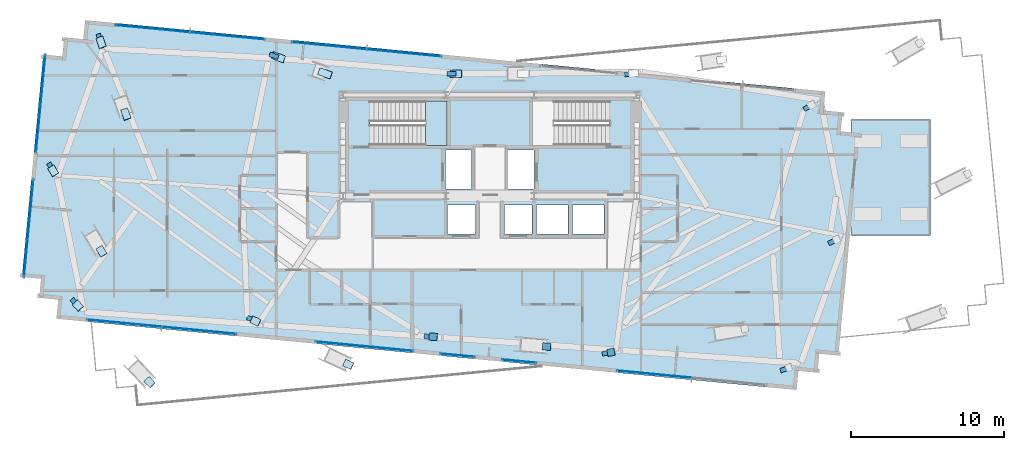
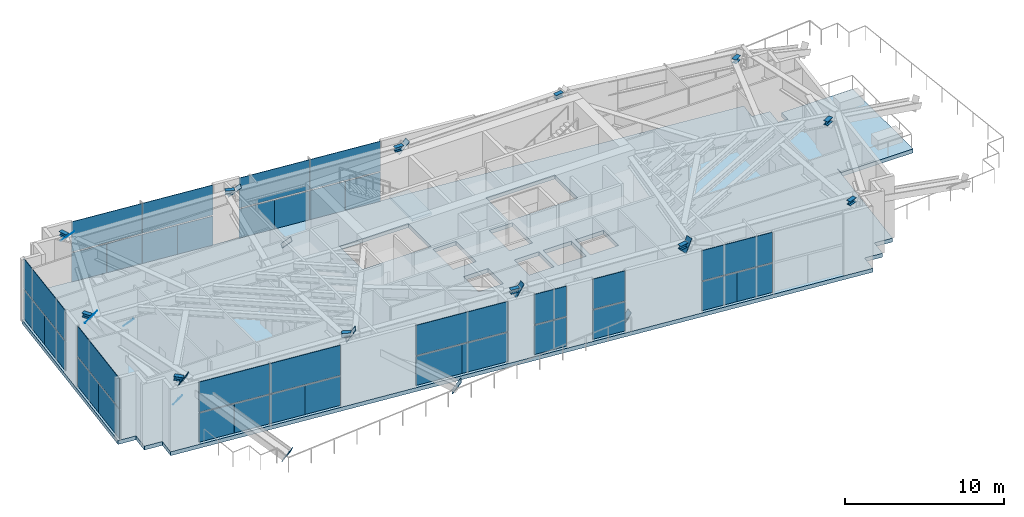
# One storey, part 15 of 23: 48 plates, 12 beams, 2 slabs, 10 elements without a shape of their own.
"""IFC4 building model written with IfcOpenShell, lengths in metres."""

from ifc_helpers import new_model, si_unit, direction, frame, origin, origin_2d, place, context, subcontext, project, spatial, polyline, rectangle, i_section, outline, extrude, source, transform, mapped, material, layer, layer_set, material_profile, profile_set, type_object, type_shapes, element, aggregate, save


model = new_model("IFC4")

# Units and contexts
model_context = context("Model", 3, precision=1e-05, world=origin(), true_north=direction((0.0, 1.0)))
body_context = subcontext(model_context, "Body", "Model", "MODEL_VIEW")
ifc_project = project(units=[si_unit("LENGTHUNIT", "METRE"), si_unit("AREAUNIT", "SQUARE_METRE"), si_unit("VOLUMEUNIT", "CUBIC_METRE"), si_unit("PLANEANGLEUNIT", "RADIAN"), si_unit("MASSUNIT", "GRAM", prefix="KILO")], contexts=[model_context])

# Site, building, storey
site_placement = place(None, origin())
site = spatial("IfcSite", under=ifc_project, at=site_placement, CompositionType="ELEMENT")
building_placement = place(site_placement, origin())
building = spatial("IfcBuilding", under=site, at=building_placement, Name="Astriad Promenade Condominiums", CompositionType="ELEMENT")
storey_placement = place(building_placement, frame((0.0, 0.0, 119.39990234375)))
storey = spatial("IfcBuildingStorey", under=building, at=storey_placement, Name="L34", CompositionType="ELEMENT", Elevation=119.39990234375)

# Beams
ifc_material_1 = material(Name="Steel ASTM A992 Grade 50", Category="steel")
ifc_material_profile = material_profile(ifc_material_1, i_section(OverallWidth=0.3046875, OverallDepth=0.307861328125, WebThickness=0.010009765625, FlangeThickness=0.015380859375, FilletRadius=0.01513671875, at=origin_2d()), Name="W12X65")
ifc_profile_set = profile_set([ifc_material_profile], Name="Steel ASTM A992 Grade 50")
beam_type = type_object("IfcBeamType", Name="STEEL TRANSFER SPLICE HEADER W12X65", PredefinedType="LINTEL", material=ifc_profile_set)
shared_shape_1 = source(origin(), body_context, "Body", "SweptSolid", [
    extrude(i_section(OverallWidth=0.3046875, OverallDepth=0.307861328125, WebThickness=0.010009765625, FlangeThickness=0.015380859375, FilletRadius=0.01513671875, at=origin_2d()), origin(), (0.0, 0.0, 1.0), 0.6015625),
])
for number, where, z_axis, x_axis, name in (
    (1, (9.089111328125, 10.220458984375, 4.626220703125), (-0.683387475312, 0.730055859909, 0.0), (-0.730055859909, -0.683387475312, 0.0), "Column Transfer Splice Header SPL-PC01-L34"),
    (2, (20.695068359375, 9.20654296875, 4.626220703125), (-0.906348980875, 0.422529910027, 0.0), (-0.422529910027, -0.906348980875, 0.0), "Column Transfer Splice Header SPL-PC02-L34"),
    (3, (43.93701171875, 7.1806640625, 4.626220703125), (-0.985080392085, -0.172094802738, 0.0), (0.172094802738, -0.985080392085, 0.0), "Column Transfer Splice Header SPL-PC04-L34"),
    (4, (10.5966796875, 27.419677734375, 4.626220703125), (-0.326678450084, 0.945135540677, 0.0), (-0.945135540677, -0.326678450084, 0.0), "Column Transfer Splice Header SPL-PC06-L34"),
    (5, (22.173828125, 26.459716796875, 4.626220703125), (-0.945678800643, 0.325102454642, 0.0), (-0.325102454642, -0.945678800643, 0.0), "Column Transfer Splice Header SPL-PC07-L34"),
    (6, (33.790283203125, 25.38037109375, 4.626220703125), (-1.0, 0.0, 0.0), (0.0, -1.0, 0.0), "Column Transfer Splice Header SPL-PC08-L34"),
    (7, (45.4150390625, 25.417236328125, 4.626220703125), (-0.988409209034, -0.151813159827, 0.0), (0.151813159827, -0.988409209034, 0.0), "Column Transfer Splice Header SPL-PC09-L34"),
    (8, (57.0498046875, 23.3466796875, 4.626220703125), (-0.866941378574, -0.498410118393, 0.0), (0.498410118393, -0.866941378574, 0.0), "Column Transfer Splice Header SPL-PC10-L34"),
    (9, (7.47314453125, 19.026123046875, 4.626220703125), (-0.514256979284, 0.857636146194, 0.0), (-0.857636146194, -0.514256979284, 0.0), "Column Transfer Splice Header SPL-PC11-L34"),
    (10, (58.676513671875, 14.555419921875, 4.626220703125), (-0.894589489496, -0.44688885115, 0.0), (0.44688885115, -0.894589489496, 0.0), "Column Transfer Splice Header SPL-PC12-L34"),
):
    element("IfcBeam", number, at=place(storey_placement, frame(where, z_axis=z_axis, x_axis=x_axis)), inside=storey, type_object=beam_type, Name=name, PredefinedType="LINTEL", context=body_context, shape_type="MappedRepresentation", body=[
        mapped(shared_shape_1, transform((0.0, 0.0, 0.0), scale=1.0)),
    ])
shared_shape_2 = source(origin(), body_context, "Body", "SweptSolid", [
    extrude(i_section(OverallWidth=0.3046875, OverallDepth=0.307861328125, WebThickness=0.010009765625, FlangeThickness=0.015380859375, FilletRadius=0.01513671875, at=origin_2d()), origin(), (0.0, 0.0, 1.0), 0.601318359375),
])
type_shapes(beam_type, [shared_shape_1, shared_shape_2])
for number, where, z_axis, x_axis, name in (
    (11, (32.31201171875, 8.1904296875, 4.626220703125), (-0.996289179226, 0.086068991848, 0.0), (-0.086068991848, -0.996289179226, 0.0), "Column Transfer Splice Header SPL-PC03-L34"),
    (12, (55.5634765625, 6.17724609375, 4.626220703125), (-0.939461075949, -0.342655638764, 0.0), (0.342655638764, -0.939461075949, 0.0), "Column Transfer Splice Header SPL-PC05-L34"),
):
    element("IfcBeam", number, at=place(storey_placement, frame(where, z_axis=z_axis, x_axis=x_axis)), inside=storey, type_object=beam_type, Name=name, PredefinedType="LINTEL", context=body_context, shape_type="MappedRepresentation", body=[
        mapped(shared_shape_2, transform((0.0, 0.0, 0.0), scale=1.0)),
    ])

# Slab
ifc_material_2 = material(Name="Concrete C50/60", Category="concrete")
ifc_layer_1 = layer(ifc_material_2, 0.300048828125)
ifc_layer_set_1 = layer_set([ifc_layer_1], Name="Concrete C50/60")
slab_type_1 = type_object("IfcSlabType", Name="CONCRETE PODIUM AND PLANT FLOOR SLAB 300", PredefinedType="FLOOR", material=ifc_layer_set_1)
slab_1_placement = place(storey_placement, frame((0.0, 0.0, -0.2998046875)))
element("IfcSlab", 13, at=slab_1_placement, inside=storey, type_object=slab_type_1, Name="Structural Floor Slab (L34)", PredefinedType="FLOOR", context=body_context, shape_type="SweptSolid", body=[
    extrude(outline(polyline([(59.60009765625, 15.5126953125), (59.60009765625, 14.800048828125), (64.800048828125, 14.800048828125), (64.800048828125, 22.39990234375), (59.60009765625, 22.39990234375), (59.60009765625, 21.55322265625), (58.931884765625, 21.617431640625), (59.052001953125, 22.86181640625), (57.8076171875, 22.981689453125), (57.927490234375, 24.225830078125), (9.55126953125, 28.8837890625), (9.431396484375, 27.6396484375), (8.18701171875, 27.759521484375), (8.0673828125, 26.515380859375), (6.822998046875, 26.635009765625), (5.423583984375, 12.102294921875), (6.66796875, 11.982421875), (6.548095703125, 10.73828125), (7.79248046875, 10.618408203125), (7.672607421875, 9.374267578125), (56.048828125, 4.716064453125), (56.168701171875, 5.960205078125), (57.412841796875, 5.840576171875), (57.53271484375, 7.084716796875), (58.77685546875, 6.96484375), (59.60009765625, 15.5126953125)]), holes=[polyline([(28.175048828125, 20.699951171875), (33.175048828125, 20.699951171875), (33.175048828125, 23.60009765625), (28.175048828125, 23.60009765625), (28.175048828125, 20.699951171875)]), polyline([(38.824951171875, 20.699951171875), (43.824951171875, 20.699951171875), (43.824951171875, 23.60009765625), (38.824951171875, 23.60009765625), (38.824951171875, 20.699951171875)]), polyline([(33.10009765625, 17.85009765625), (34.800048828125, 17.85009765625), (34.800048828125, 20.39990234375), (33.10009765625, 20.39990234375), (33.10009765625, 17.85009765625)]), polyline([(37.199951171875, 17.85009765625), (38.89990234375, 17.85009765625), (38.89990234375, 20.39990234375), (37.199951171875, 20.39990234375), (37.199951171875, 17.85009765625)]), polyline([(33.25, 14.89990234375), (35.050048828125, 14.89990234375), (35.050048828125, 16.800048828125), (33.25, 16.800048828125), (33.25, 14.89990234375)]), polyline([(36.949951171875, 14.89990234375), (38.75, 14.89990234375), (38.75, 16.800048828125), (36.949951171875, 16.800048828125), (36.949951171875, 14.89990234375)]), polyline([(39.050048828125, 14.89990234375), (41.10009765625, 14.89990234375), (41.10009765625, 16.800048828125), (39.050048828125, 16.800048828125), (39.050048828125, 14.89990234375)]), polyline([(41.39990234375, 14.89990234375), (43.449951171875, 14.89990234375), (43.449951171875, 16.800048828125), (41.39990234375, 16.800048828125), (41.39990234375, 14.89990234375)])]), origin(), (0.0, 0.0, 1.0), 0.2998046875),
])

# Stair, slab
stair_type = type_object("IfcStairType", Name="STR-CORE-1350", PredefinedType="HALF_TURN_STAIR", material=ifc_material_2)
stair_placement = place(storey_placement, origin())
stair = element("IfcStair", 14, at=stair_placement, inside=storey, type_object=stair_type, Name="L34 Enclosed Core Exit Stair ST-1", PredefinedType="HALF_TURN_STAIR")
ifc_layer_2 = layer(ifc_material_2, 0.219970703125)
ifc_layer_set_2 = layer_set([ifc_layer_2], Name="Concrete C50/60")
slab_type_2 = type_object("IfcSlabType", Name="SLB-LANDING-220", PredefinedType="LANDING", material=ifc_layer_set_2)
slab_2_placement = place(storey_placement, frame((0.0, 0.0, 2.400146484375)))
slab_2 = element("IfcSlab", 15, at=slab_2_placement, type_object=slab_type_2, Name="ST-1 landing 1", PredefinedType="LANDING", context=body_context, shape_type="SweptSolid", body=[
    extrude(outline(polyline([(31.7900390625, 20.699951171875), (33.199951171875, 20.699951171875), (33.199951171875, 23.60009765625), (31.7900390625, 23.60009765625), (31.7900390625, 20.699951171875)])), origin(), (0.0, 0.0, 1.0), 0.199951171875),
])
aggregate(stair, [slab_2])

# Plates
ifc_material_3 = material(Name="Steel ASTM A572 Grade 50", Category="steel")
ifc_layer_3 = layer(ifc_material_3, 0.02490234375)
ifc_layer_set_3 = layer_set([ifc_layer_3], Name="Steel ASTM A572 Grade 50")
plate_type_1 = type_object("IfcPlateType", Name="STEEL HOLLOW SECTION END CAP PLATE 30", PredefinedType="USERDEFINED", material=ifc_layer_set_3)
shared_shape_3 = source(origin(), body_context, "Body", "SweptSolid", [
    extrude(rectangle(XDim=0.477294921875, YDim=1.05126953125, at=origin_2d()), origin(), (0.0, 0.0, 1.0), 0.02490234375),
])
type_shapes(plate_type_1, [shared_shape_3])
for number, where, z_axis, x_axis, name in (
    (16, (13.771728515625, 5.217041015625, 0.182373046875), (-0.574938143914, 0.614335520908, 0.540405401919), (-0.730130772344, -0.683307438329, 0.0), "Hollow Section End Cap Plate COL-PC01-L34-A"),
    (17, (9.0888671875, 10.220703125, 4.583984375), (-0.574938143914, 0.614335520908, 0.540405401919), (-0.730130772344, -0.683307438329, 0.0), "Hollow Section End Cap Plate COL-PC01-L34-B"),
    (18, (26.7568359375, 6.381103515625, 0.180908203125), (-0.756952793768, 0.352840440892, 0.550023718832), (-0.422487995071, -0.906368519986, 0.0), "Hollow Section End Cap Plate COL-PC02-L34-A"),
    (19, (20.695068359375, 9.20654296875, 4.58544921875), (-0.756952793768, 0.352840440892, 0.550023718832), (-0.422487995071, -0.906368519986, 0.0), "Hollow Section End Cap Plate COL-PC02-L34-B"),
    (20, (39.728515625, 7.548095703125, 0.187744140625), (-0.858066153935, 0.074319319994, 0.508132968962), (-0.086289520066, -0.996270103299, 0.0), "Hollow Section End Cap Plate COL-PC03-L34-A"),
    (21, (32.312255859375, 8.1904296875, 4.579833984375), (-0.858066153935, 0.074319319994, 0.508132968962), (-0.086289520066, -0.996270103299, 0.0), "Hollow Section End Cap Plate COL-PC03-L34-B"),
    (22, (43.93701171875, 7.1806640625, 4.57177734375), (-0.883821109689, -0.154152960946, 0.441697985845), (0.171822537246, -0.985127918442, 0.0), "Hollow Section End Cap Plate COL-PC04-L34-B"),
    (23, (12.217529296875, 22.73486328125, 0.158203125), (-0.24339992508, 0.703461806231, 0.667755916219), (-0.94503011814, -0.326983295917, 0.0), "Hollow Section End Cap Plate COL-PC06-L34-A"),
    (24, (10.5966796875, 27.419677734375, 4.605224609375), (-0.24339992508, 0.703461806231, 0.667755916219), (-0.94503011814, -0.326983295917, 0.0), "Hollow Section End Cap Plate COL-PC06-L34-B"),
    (25, (25.234375, 25.407470703125, 0.119140625), (-0.550404973061, 0.189194935021, 0.81317872709), (-0.325069358839, -0.945690177566, 0.0), "Hollow Section End Cap Plate COL-PC07-L34-A"),
    (26, (22.173828125, 26.459716796875, 4.640869140625), (-0.550404973061, 0.189194935021, 0.81317872709), (-0.325069358839, -0.945690177566, 0.0), "Hollow Section End Cap Plate COL-PC07-L34-B"),
    (27, (33.790283203125, 25.38037109375, 4.614501953125), (-0.703260758359, 4.7945e-05, 0.710931996363), (-6.8175281e-05, -0.999999997676, 0.0), "Hollow Section End Cap Plate COL-PC08-L34-B"),
    (28, (10.626708984375, 13.76904296875, 0.175048828125), (-0.417412186942, 0.695837482902, 0.584446116918), (-0.857542019508, -0.514413923585, 0.0), "Hollow Section End Cap Plate COL-PC11-L34-A"),
    (29, (7.47314453125, 19.0263671875, 4.590576171875), (-0.417412186942, 0.695837482902, 0.584446116918), (-0.857542019508, -0.514413923585, 0.0), "Hollow Section End Cap Plate COL-PC11-L34-B"),
):
    element("IfcPlate", number, at=place(storey_placement, frame(where, z_axis=z_axis, x_axis=x_axis)), inside=storey, type_object=plate_type_1, Name=name, ObjectType="STIFFENER_PLATE", PredefinedType="USERDEFINED", context=body_context, shape_type="MappedRepresentation", body=[
        mapped(shared_shape_3, transform((0.0, 0.0, 0.0), scale=1.0)),
    ])

# Curtain wall, plates
ifc_material_4 = material(Name="Anodised aluminium Black Dark Glass Unitised", Category="aluminium")
curtain_wall_type = type_object("IfcCurtainWallType", Name="CW-B34-DARK", PredefinedType="USERDEFINED", material=ifc_material_4)
curtain_wall_1_placement = place(storey_placement, origin())
curtain_wall_1 = element("IfcCurtainWall", 30, at=curtain_wall_1_placement, inside=storey, type_object=curtain_wall_type, Name="CW-L34-W-1", ObjectType="UNITISED_CURTAIN_WALL", PredefinedType="USERDEFINED")
ifc_material_5 = material(Name="Dark Tinted Low-E Laminated Glass", Category="glass")
ifc_layer_4 = layer(ifc_material_5, 0.035888671875)
ifc_layer_set_4 = layer_set([ifc_layer_4], Name="Dark Tinted Low-E Laminated Glass")
plate_type_2 = type_object("IfcPlateType", Name="PNL-DARK-GLASS-36", PredefinedType="CURTAIN_PANEL", material=ifc_layer_set_4)
shared_shape_4 = source(origin(), body_context, "Body", "SweptSolid", [
    extrude(rectangle(XDim=3.18798828125, YDim=0.035888671875, at=origin_2d()), origin(), (0.0, 0.0, 1.0), 2.22998046875),
])
plate_1_placement = place(storey_placement, frame((5.70654296875, 13.682373046875, 0.080078125), z_axis=(0.0, 0.0, 1.0), x_axis=(0.09584575252, 0.995396198367, 0.0)))
plate_1 = element("IfcPlate", 31, at=plate_1_placement, type_object=plate_type_2, Name="CW-L34-W-1-PNL-00-VL", PredefinedType="CURTAIN_PANEL", context=body_context, shape_type="MappedRepresentation", body=[
    mapped(shared_shape_4, transform((0.0, 0.0, 0.0), scale=1.0)),
])
plate_2_placement = place(storey_placement, frame((6.01318359375, 16.86767578125, 0.080078125), z_axis=(0.0, 0.0, 1.0), x_axis=(0.09584575252, 0.995396198367, 0.0)))
plate_2 = element("IfcPlate", 32, at=plate_2_placement, type_object=plate_type_2, Name="CW-L34-W-1-PNL-00-VR", PredefinedType="CURTAIN_PANEL", context=body_context, shape_type="MappedRepresentation", body=[
    mapped(shared_shape_4, transform((0.0, 0.0, 0.0), scale=1.0)),
])

curtain_wall_2_placement = place(storey_placement, origin())
curtain_wall_2 = element("IfcCurtainWall", 33, at=curtain_wall_2_placement, inside=storey, type_object=curtain_wall_type, Name="CW-L34-W-2", ObjectType="UNITISED_CURTAIN_WALL", PredefinedType="USERDEFINED")
plate_3_placement = place(storey_placement, frame((6.492431640625, 21.844482421875, 0.080078125), z_axis=(0.0, 0.0, 1.0), x_axis=(0.09584575252, 0.995396198367, 0.0)))
plate_3 = element("IfcPlate", 34, at=plate_3_placement, type_object=plate_type_2, Name="CW-L34-W-2-PNL-00-VL", PredefinedType="CURTAIN_PANEL", context=body_context, shape_type="MappedRepresentation", body=[
    mapped(shared_shape_4, transform((0.0, 0.0, 0.0), scale=1.0)),
])
plate_4_placement = place(storey_placement, frame((6.79931640625, 25.02978515625, 0.080078125), z_axis=(0.0, 0.0, 1.0), x_axis=(0.09584575252, 0.995396198367, 0.0)))
plate_4 = element("IfcPlate", 35, at=plate_4_placement, type_object=plate_type_2, Name="CW-L34-W-2-PNL-00-VR", PredefinedType="CURTAIN_PANEL", context=body_context, shape_type="MappedRepresentation", body=[
    mapped(shared_shape_4, transform((0.0, 0.0, 0.0), scale=1.0)),
])

# Plate
shared_shape_5 = source(origin(), body_context, "Body", "SweptSolid", [
    extrude(rectangle(XDim=6.387939453125, YDim=0.035888671875, at=origin_2d()), origin(), (0.0, 0.0, 1.0), 2.31005859375),
])
plate_5_placement = place(storey_placement, frame((5.85986328125, 15.275146484375, 2.39013671875), z_axis=(0.0, 0.0, 1.0), x_axis=(0.09584575252, 0.995396198367, 0.0)))
plate_5 = element("IfcPlate", 36, at=plate_5_placement, type_object=plate_type_2, Name="CW-L34-W-1-PNL-00-S", PredefinedType="CURTAIN_PANEL", context=body_context, shape_type="MappedRepresentation", body=[
    mapped(shared_shape_5, transform((0.0, 0.0, 0.0), scale=1.0)),
])

aggregate(curtain_wall_1, [plate_1, plate_2, plate_5])

shared_shape_6 = source(origin(), body_context, "Body", "SweptSolid", [
    extrude(rectangle(XDim=6.38818359375, YDim=0.035888671875, at=origin_2d()), origin(), (0.0, 0.0, 1.0), 2.31005859375),
])
plate_6_placement = place(storey_placement, frame((6.645751953125, 23.437255859375, 2.39013671875), z_axis=(0.0, 0.0, 1.0), x_axis=(0.09584575252, 0.995396198367, 0.0)))
plate_6 = element("IfcPlate", 37, at=plate_6_placement, type_object=plate_type_2, Name="CW-L34-W-2-PNL-00-S", PredefinedType="CURTAIN_PANEL", context=body_context, shape_type="MappedRepresentation", body=[
    mapped(shared_shape_6, transform((0.0, 0.0, 0.0), scale=1.0)),
])

aggregate(curtain_wall_2, [plate_3, plate_4, plate_6])

# Curtain wall, plates
curtain_wall_3_placement = place(storey_placement, origin())
curtain_wall_3 = element("IfcCurtainWall", 38, at=curtain_wall_3_placement, inside=storey, type_object=curtain_wall_type, Name="CW-L34-N-1", ObjectType="UNITISED_CURTAIN_WALL", PredefinedType="USERDEFINED")
shared_shape_7 = source(origin(), body_context, "Body", "SweptSolid", [
    extrude(rectangle(XDim=2.43798828125, YDim=0.035888671875, at=origin_2d()), origin(), (0.0, 0.0, 1.0), 2.22998046875),
])
plate_7_placement = place(storey_placement, frame((12.748779296875, 28.4453125, 0.080078125), z_axis=(0.0, 0.0, 1.0), x_axis=(0.995396198367, -0.09584575252, 0.0)))
plate_7 = element("IfcPlate", 39, at=plate_7_placement, type_object=plate_type_2, Name="CW-L34-N-1-PNL-00-VL", PredefinedType="CURTAIN_PANEL", context=body_context, shape_type="MappedRepresentation", body=[
    mapped(shared_shape_7, transform((0.0, 0.0, 0.0), scale=1.0)),
])
plate_8_placement = place(storey_placement, frame((15.1875, 28.210693359375, 0.080078125), z_axis=(0.0, 0.0, 1.0), x_axis=(0.995396198367, -0.09584575252, 0.0)))
plate_8 = element("IfcPlate", 40, at=plate_8_placement, type_object=plate_type_2, Name="CW-L34-N-1-PNL-00-VR", PredefinedType="CURTAIN_PANEL", context=body_context, shape_type="MappedRepresentation", body=[
    mapped(shared_shape_7, transform((0.0, 0.0, 0.0), scale=1.0)),
])
plate_9_placement = place(storey_placement, frame((17.62646484375, 27.975830078125, 0.080078125), z_axis=(0.0, 0.0, 1.0), x_axis=(0.995396198367, -0.09584575252, 0.0)))
plate_9 = element("IfcPlate", 41, at=plate_9_placement, type_object=plate_type_2, Name="CW-L34-N-1-PNL-01-VL", PredefinedType="CURTAIN_PANEL", context=body_context, shape_type="MappedRepresentation", body=[
    mapped(shared_shape_7, transform((0.0, 0.0, 0.0), scale=1.0)),
])
plate_10_placement = place(storey_placement, frame((20.06494140625, 27.740966796875, 0.080078125), z_axis=(0.0, 0.0, 1.0), x_axis=(0.995396198367, -0.09584575252, 0.0)))
plate_10 = element("IfcPlate", 42, at=plate_10_placement, type_object=plate_type_2, Name="CW-L34-N-1-PNL-01-VR", PredefinedType="CURTAIN_PANEL", context=body_context, shape_type="MappedRepresentation", body=[
    mapped(shared_shape_7, transform((0.0, 0.0, 0.0), scale=1.0)),
])

curtain_wall_4_placement = place(storey_placement, origin())
curtain_wall_4 = element("IfcCurtainWall", 43, at=curtain_wall_4_placement, inside=storey, type_object=curtain_wall_type, Name="CW-L34-N-2", ObjectType="UNITISED_CURTAIN_WALL", PredefinedType="USERDEFINED")
plate_11_placement = place(storey_placement, frame((24.29541015625, 27.33349609375, 0.080078125), z_axis=(0.0, 0.0, 1.0), x_axis=(0.995396198367, -0.09584575252, 0.0)))
plate_11 = element("IfcPlate", 44, at=plate_11_placement, type_object=plate_type_2, Name="CW-L34-N-2-PNL-00-VL", PredefinedType="CURTAIN_PANEL", context=body_context, shape_type="MappedRepresentation", body=[
    mapped(shared_shape_7, transform((0.0, 0.0, 0.0), scale=1.0)),
])
plate_12_placement = place(storey_placement, frame((26.734130859375, 27.0986328125, 0.080078125), z_axis=(0.0, 0.0, 1.0), x_axis=(0.995396198367, -0.09584575252, 0.0)))
plate_12 = element("IfcPlate", 45, at=plate_12_placement, type_object=plate_type_2, Name="CW-L34-N-2-PNL-00-VR", PredefinedType="CURTAIN_PANEL", context=body_context, shape_type="MappedRepresentation", body=[
    mapped(shared_shape_7, transform((0.0, 0.0, 0.0), scale=1.0)),
])
plate_13_placement = place(storey_placement, frame((29.1728515625, 26.864013671875, 0.080078125), z_axis=(0.0, 0.0, 1.0), x_axis=(0.995396198367, -0.09584575252, 0.0)))
plate_13 = element("IfcPlate", 46, at=plate_13_placement, type_object=plate_type_2, Name="CW-L34-N-2-PNL-01-VL", PredefinedType="CURTAIN_PANEL", context=body_context, shape_type="MappedRepresentation", body=[
    mapped(shared_shape_7, transform((0.0, 0.0, 0.0), scale=1.0)),
])
plate_14_placement = place(storey_placement, frame((31.611572265625, 26.629150390625, 0.080078125), z_axis=(0.0, 0.0, 1.0), x_axis=(0.995396198367, -0.09584575252, 0.0)))
plate_14 = element("IfcPlate", 47, at=plate_14_placement, type_object=plate_type_2, Name="CW-L34-N-2-PNL-01-VR", PredefinedType="CURTAIN_PANEL", context=body_context, shape_type="MappedRepresentation", body=[
    mapped(shared_shape_7, transform((0.0, 0.0, 0.0), scale=1.0)),
])

curtain_wall_5_placement = place(storey_placement, origin())
curtain_wall_5 = element("IfcCurtainWall", 48, at=curtain_wall_5_placement, inside=storey, type_object=curtain_wall_type, Name="CW-L34-S-1", ObjectType="UNITISED_CURTAIN_WALL", PredefinedType="USERDEFINED")
plate_15_placement = place(storey_placement, frame((47.9736328125, 5.624267578125, 0.080078125), z_axis=(0.0, 0.0, 1.0), x_axis=(-0.995396198367, 0.09584575252, 0.0)))
plate_15 = element("IfcPlate", 49, at=plate_15_placement, type_object=plate_type_2, Name="CW-L34-S-1-PNL-01-VL", PredefinedType="CURTAIN_PANEL", context=body_context, shape_type="MappedRepresentation", body=[
    mapped(shared_shape_7, transform((0.0, 0.0, 0.0), scale=1.0)),
])
plate_16_placement = place(storey_placement, frame((45.534912109375, 5.859130859375, 0.080078125), z_axis=(0.0, 0.0, 1.0), x_axis=(-0.995396198367, 0.09584575252, 0.0)))
plate_16 = element("IfcPlate", 50, at=plate_16_placement, type_object=plate_type_2, Name="CW-L34-S-1-PNL-01-VR", PredefinedType="CURTAIN_PANEL", context=body_context, shape_type="MappedRepresentation", body=[
    mapped(shared_shape_7, transform((0.0, 0.0, 0.0), scale=1.0)),
])

curtain_wall_6_placement = place(storey_placement, origin())
curtain_wall_6 = element("IfcCurtainWall", 51, at=curtain_wall_6_placement, inside=storey, type_object=curtain_wall_type, Name="CW-L34-S-5", ObjectType="UNITISED_CURTAIN_WALL", PredefinedType="USERDEFINED")
plate_17_placement = place(storey_placement, frame((18.21142578125, 8.489990234375, 0.080078125), z_axis=(0.0, 0.0, 1.0), x_axis=(-0.995396198367, 0.09584575252, 0.0)))
plate_17 = element("IfcPlate", 52, at=plate_17_placement, type_object=plate_type_2, Name="CW-L34-S-5-PNL-00-VL", PredefinedType="CURTAIN_PANEL", context=body_context, shape_type="MappedRepresentation", body=[
    mapped(shared_shape_7, transform((0.0, 0.0, 0.0), scale=1.0)),
])
plate_18_placement = place(storey_placement, frame((15.772705078125, 8.724853515625, 0.080078125), z_axis=(0.0, 0.0, 1.0), x_axis=(-0.995396198367, 0.09584575252, 0.0)))
plate_18 = element("IfcPlate", 53, at=plate_18_placement, type_object=plate_type_2, Name="CW-L34-S-5-PNL-00-VR", PredefinedType="CURTAIN_PANEL", context=body_context, shape_type="MappedRepresentation", body=[
    mapped(shared_shape_7, transform((0.0, 0.0, 0.0), scale=1.0)),
])
plate_19_placement = place(storey_placement, frame((13.333984375, 8.959716796875, 0.080078125), z_axis=(0.0, 0.0, 1.0), x_axis=(-0.995396198367, 0.09584575252, 0.0)))
plate_19 = element("IfcPlate", 54, at=plate_19_placement, type_object=plate_type_2, Name="CW-L34-S-5-PNL-01-VL", PredefinedType="CURTAIN_PANEL", context=body_context, shape_type="MappedRepresentation", body=[
    mapped(shared_shape_7, transform((0.0, 0.0, 0.0), scale=1.0)),
])
plate_20_placement = place(storey_placement, frame((10.895263671875, 9.194580078125, 0.080078125), z_axis=(0.0, 0.0, 1.0), x_axis=(-0.995396198367, 0.09584575252, 0.0)))
plate_20 = element("IfcPlate", 55, at=plate_20_placement, type_object=plate_type_2, Name="CW-L34-S-5-PNL-01-VR", PredefinedType="CURTAIN_PANEL", context=body_context, shape_type="MappedRepresentation", body=[
    mapped(shared_shape_7, transform((0.0, 0.0, 0.0), scale=1.0)),
])

# Plate
shared_shape_8 = source(origin(), body_context, "Body", "SweptSolid", [
    extrude(rectangle(XDim=4.887939453125, YDim=0.035888671875, at=origin_2d()), origin(), (0.0, 0.0, 1.0), 2.31005859375),
])
plate_21_placement = place(storey_placement, frame((13.96826171875, 28.327880859375, 2.39013671875), z_axis=(0.0, 0.0, 1.0), x_axis=(0.995396198367, -0.09584575252, 0.0)))
plate_21 = element("IfcPlate", 56, at=plate_21_placement, type_object=plate_type_2, Name="CW-L34-N-1-PNL-00-S", PredefinedType="CURTAIN_PANEL", context=body_context, shape_type="MappedRepresentation", body=[
    mapped(shared_shape_8, transform((0.0, 0.0, 0.0), scale=1.0)),
])

plate_22_placement = place(storey_placement, frame((18.845703125, 27.8583984375, 2.39013671875), z_axis=(0.0, 0.0, 1.0), x_axis=(0.995396198367, -0.09584575252, 0.0)))
plate_22 = element("IfcPlate", 57, at=plate_22_placement, type_object=plate_type_2, Name="CW-L34-N-1-PNL-01-S", PredefinedType="CURTAIN_PANEL", context=body_context, shape_type="MappedRepresentation", body=[
    mapped(shared_shape_8, transform((0.0, 0.0, 0.0), scale=1.0)),
])

aggregate(curtain_wall_3, [plate_7, plate_8, plate_21, plate_9, plate_10, plate_22])

plate_23_placement = place(storey_placement, frame((25.514892578125, 27.216064453125, 2.39013671875), z_axis=(0.0, 0.0, 1.0), x_axis=(0.995396198367, -0.09584575252, 0.0)))
plate_23 = element("IfcPlate", 58, at=plate_23_placement, type_object=plate_type_2, Name="CW-L34-N-2-PNL-00-S", PredefinedType="CURTAIN_PANEL", context=body_context, shape_type="MappedRepresentation", body=[
    mapped(shared_shape_8, transform((0.0, 0.0, 0.0), scale=1.0)),
])

plate_24_placement = place(storey_placement, frame((30.392333984375, 26.74658203125, 2.39013671875), z_axis=(0.0, 0.0, 1.0), x_axis=(0.995396198367, -0.09584575252, 0.0)))
plate_24 = element("IfcPlate", 59, at=plate_24_placement, type_object=plate_type_2, Name="CW-L34-N-2-PNL-01-S", PredefinedType="CURTAIN_PANEL", context=body_context, shape_type="MappedRepresentation", body=[
    mapped(shared_shape_8, transform((0.0, 0.0, 0.0), scale=1.0)),
])

aggregate(curtain_wall_4, [plate_11, plate_12, plate_23, plate_13, plate_14, plate_24])

plate_25_placement = place(storey_placement, frame((46.75439453125, 5.74169921875, 2.39013671875), z_axis=(0.0, 0.0, 1.0), x_axis=(-0.995396198367, 0.09584575252, 0.0)))
plate_25 = element("IfcPlate", 60, at=plate_25_placement, type_object=plate_type_2, Name="CW-L34-S-1-PNL-01-S", PredefinedType="CURTAIN_PANEL", context=body_context, shape_type="MappedRepresentation", body=[
    mapped(shared_shape_8, transform((0.0, 0.0, 0.0), scale=1.0)),
])

aggregate(curtain_wall_5, [plate_15, plate_16, plate_25])

plate_26_placement = place(storey_placement, frame((16.991943359375, 8.607421875, 2.39013671875), z_axis=(0.0, 0.0, 1.0), x_axis=(-0.995396198367, 0.09584575252, 0.0)))
plate_26 = element("IfcPlate", 61, at=plate_26_placement, type_object=plate_type_2, Name="CW-L34-S-5-PNL-00-S", PredefinedType="CURTAIN_PANEL", context=body_context, shape_type="MappedRepresentation", body=[
    mapped(shared_shape_8, transform((0.0, 0.0, 0.0), scale=1.0)),
])

plate_27_placement = place(storey_placement, frame((12.114501953125, 9.076904296875, 2.39013671875), z_axis=(0.0, 0.0, 1.0), x_axis=(-0.995396198367, 0.09584575252, 0.0)))
plate_27 = element("IfcPlate", 62, at=plate_27_placement, type_object=plate_type_2, Name="CW-L34-S-5-PNL-01-S", PredefinedType="CURTAIN_PANEL", context=body_context, shape_type="MappedRepresentation", body=[
    mapped(shared_shape_8, transform((0.0, 0.0, 0.0), scale=1.0)),
])

aggregate(curtain_wall_6, [plate_17, plate_18, plate_26, plate_19, plate_20, plate_27])

# Curtain wall, plate
curtain_wall_7_placement = place(storey_placement, origin())
curtain_wall_7 = element("IfcCurtainWall", 63, at=curtain_wall_7_placement, inside=storey, type_object=curtain_wall_type, Name="CW-L34-S-2", ObjectType="UNITISED_CURTAIN_WALL", PredefinedType="USERDEFINED")
shared_shape_9 = source(origin(), body_context, "Body", "SweptSolid", [
    extrude(rectangle(XDim=2.238037109375, YDim=0.035888671875, at=origin_2d()), origin(), (0.0, 0.0, 1.0), 2.22998046875),
])
plate_28_placement = place(storey_placement, frame((37.920166015625, 6.59228515625, 0.080078125), z_axis=(0.0, 0.0, 1.0), x_axis=(-0.99539787104, 0.095828379565, 0.0)))
plate_28 = element("IfcPlate", 64, at=plate_28_placement, type_object=plate_type_2, Name="CW-L34-S-2-PNL-00-V", PredefinedType="CURTAIN_PANEL", context=body_context, shape_type="MappedRepresentation", body=[
    mapped(shared_shape_9, transform((0.0, 0.0, 0.0), scale=1.0)),
])

curtain_wall_8_placement = place(storey_placement, origin())
curtain_wall_8 = element("IfcCurtainWall", 65, at=curtain_wall_8_placement, inside=storey, type_object=curtain_wall_type, Name="CW-L34-S-3", ObjectType="UNITISED_CURTAIN_WALL", PredefinedType="USERDEFINED")
plate_29_placement = place(storey_placement, frame((33.888916015625, 6.98046875, 0.080078125), z_axis=(0.0, 0.0, 1.0), x_axis=(-0.995394525392, 0.095863125447, 0.0)))
plate_29 = element("IfcPlate", 66, at=plate_29_placement, type_object=plate_type_2, Name="CW-L34-S-3-PNL-00-V", PredefinedType="CURTAIN_PANEL", context=body_context, shape_type="MappedRepresentation", body=[
    mapped(shared_shape_9, transform((0.0, 0.0, 0.0), scale=1.0)),
])

# Plate
shared_shape_10 = source(origin(), body_context, "Body", "SweptSolid", [
    extrude(rectangle(XDim=2.238037109375, YDim=0.035888671875, at=origin_2d()), origin(), (0.0, 0.0, 1.0), 2.31005859375),
])
plate_30_placement = place(storey_placement, frame((37.920166015625, 6.59228515625, 2.39013671875), z_axis=(0.0, 0.0, 1.0), x_axis=(-0.99539787104, 0.095828379565, 0.0)))
plate_30 = element("IfcPlate", 67, at=plate_30_placement, type_object=plate_type_2, Name="CW-L34-S-2-PNL-00-S", PredefinedType="CURTAIN_PANEL", context=body_context, shape_type="MappedRepresentation", body=[
    mapped(shared_shape_10, transform((0.0, 0.0, 0.0), scale=1.0)),
])

aggregate(curtain_wall_7, [plate_28, plate_30])

plate_31_placement = place(storey_placement, frame((33.888916015625, 6.98046875, 2.39013671875), z_axis=(0.0, 0.0, 1.0), x_axis=(-0.995394525392, 0.095863125447, 0.0)))
plate_31 = element("IfcPlate", 68, at=plate_31_placement, type_object=plate_type_2, Name="CW-L34-S-3-PNL-00-S", PredefinedType="CURTAIN_PANEL", context=body_context, shape_type="MappedRepresentation", body=[
    mapped(shared_shape_10, transform((0.0, 0.0, 0.0), scale=1.0)),
])

aggregate(curtain_wall_8, [plate_29, plate_31])

# Curtain wall, plates
curtain_wall_9_placement = place(storey_placement, origin())
curtain_wall_9 = element("IfcCurtainWall", 69, at=curtain_wall_9_placement, inside=storey, type_object=curtain_wall_type, Name="CW-L34-S-4", ObjectType="UNITISED_CURTAIN_WALL", PredefinedType="USERDEFINED")
shared_shape_11 = source(origin(), body_context, "Body", "SweptSolid", [
    extrude(rectangle(XDim=3.177978515625, YDim=0.035888671875, at=origin_2d()), origin(), (0.0, 0.0, 1.0), 2.22998046875),
])
plate_32_placement = place(storey_placement, frame((29.3896484375, 7.413818359375, 0.080078125), z_axis=(0.0, 0.0, 1.0), x_axis=(-0.995396198367, 0.09584575252, 0.0)))
plate_32 = element("IfcPlate", 70, at=plate_32_placement, type_object=plate_type_2, Name="CW-L34-S-4-PNL-00-VL", PredefinedType="CURTAIN_PANEL", context=body_context, shape_type="MappedRepresentation", body=[
    mapped(shared_shape_11, transform((0.0, 0.0, 0.0), scale=1.0)),
])
plate_33_placement = place(storey_placement, frame((26.21435546875, 7.719482421875, 0.080078125), z_axis=(0.0, 0.0, 1.0), x_axis=(-0.995396198367, 0.09584575252, 0.0)))
plate_33 = element("IfcPlate", 71, at=plate_33_placement, type_object=plate_type_2, Name="CW-L34-S-4-PNL-00-VR", PredefinedType="CURTAIN_PANEL", context=body_context, shape_type="MappedRepresentation", body=[
    mapped(shared_shape_11, transform((0.0, 0.0, 0.0), scale=1.0)),
])
shared_shape_12 = source(origin(), body_context, "Body", "SweptSolid", [
    extrude(rectangle(XDim=6.367919921875, YDim=0.035888671875, at=origin_2d()), origin(), (0.0, 0.0, 1.0), 2.31005859375),
])
type_shapes(plate_type_2, [shared_shape_4, shared_shape_5, shared_shape_6, shared_shape_7, shared_shape_8, shared_shape_9, shared_shape_10, shared_shape_11, shared_shape_12])
plate_34_placement = place(storey_placement, frame((27.802001953125, 7.56640625, 2.39013671875), z_axis=(0.0, 0.0, 1.0), x_axis=(-0.995396198367, 0.09584575252, 0.0)))
plate_34 = element("IfcPlate", 72, at=plate_34_placement, type_object=plate_type_2, Name="CW-L34-S-4-PNL-00-S", PredefinedType="CURTAIN_PANEL", context=body_context, shape_type="MappedRepresentation", body=[
    mapped(shared_shape_12, transform((0.0, 0.0, 0.0), scale=1.0)),
])
aggregate(curtain_wall_9, [plate_32, plate_33, plate_34])

save(model, "model.ifc")
